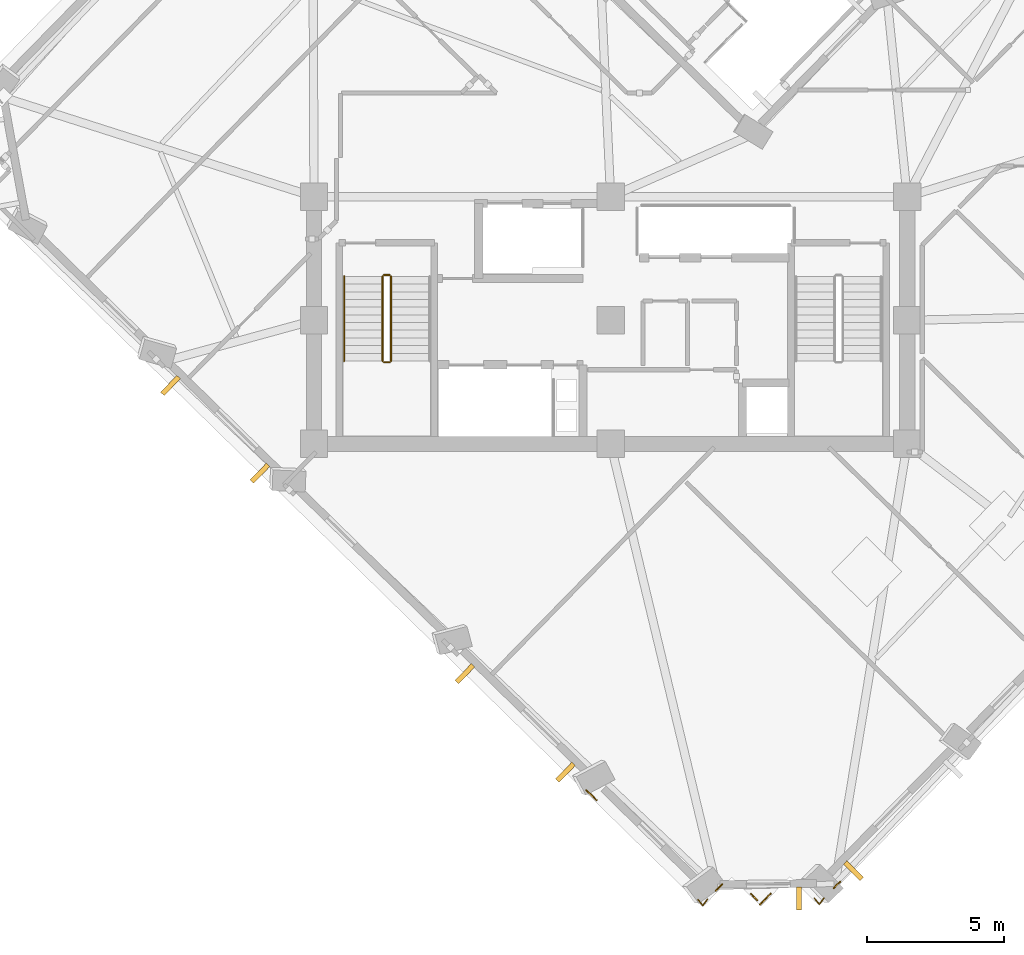
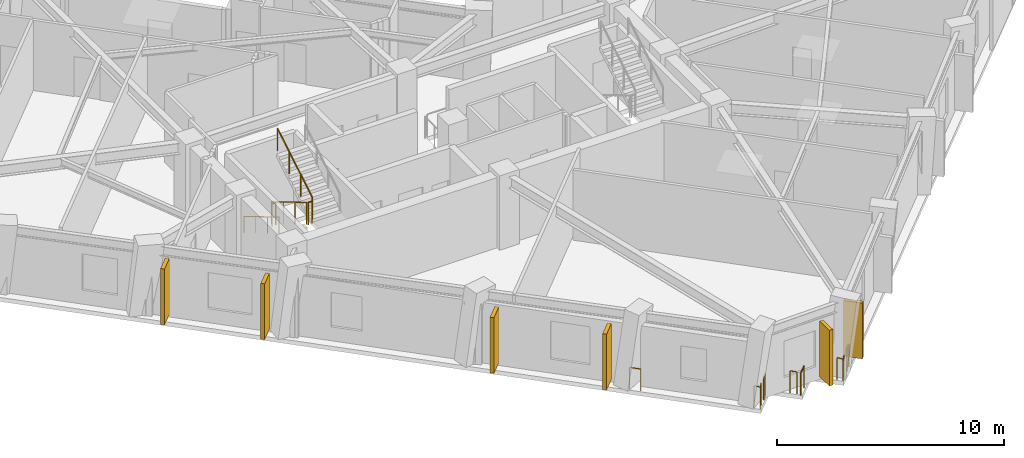
# One storey, part 8 of 12: 12 railings, 6 shading devices.
"""IFC4 building model written with IfcOpenShell, lengths in metres."""

from ifc_helpers import new_model, si_unit, direction, frame, origin, origin_2d, place, context, subcontext, project, spatial, rectangle, circle, extrude, material, layer, layer_set, type_object, element, save


model = new_model("IFC4")

# Units and contexts
model_context = context("Model", 3, precision=1e-05, world=origin(), true_north=direction((0.0, 1.0)))
body_context = subcontext(model_context, "Body", "Model", "MODEL_VIEW")
ifc_project = project(units=[si_unit("LENGTHUNIT", "METRE"), si_unit("AREAUNIT", "SQUARE_METRE"), si_unit("VOLUMEUNIT", "CUBIC_METRE"), si_unit("PLANEANGLEUNIT", "RADIAN"), si_unit("MASSUNIT", "GRAM", prefix="KILO")], contexts=[model_context])

# Site, building, storey
site_placement = place(None, origin())
site = spatial("IfcSite", under=ifc_project, at=site_placement, CompositionType="ELEMENT")
building_placement = place(site_placement, origin())
building = spatial("IfcBuilding", under=site, at=building_placement, Name="Gaonmaruhae Medical Tower", CompositionType="ELEMENT")
storey_placement = place(building_placement, frame((0.0, 0.0, 219.199951171875)))
storey = spatial("IfcBuildingStorey", under=building, at=storey_placement, Name="L52", CompositionType="ELEMENT", Elevation=219.199951171875)

# Railings
ifc_material_1 = material(Name="Stainless steel 316L and laminated safety glass", Category="steel")
ifc_layer = layer(ifc_material_1, 0.080078125)
ifc_layer_set = layer_set([ifc_layer], Name="Stainless steel 316L and laminated safety glass")
railing_type_1 = type_object("IfcRailingType", Name="GD-120 Outdoor Terrace Safety Glass & Steel Balustrade", PredefinedType="BALUSTRADE", material=ifc_layer_set)
railing_1_placement = place(storey_placement, frame((33.1591796875, -8.13720703125, 0.0)))
element("IfcRailing", 1, at=railing_1_placement, inside=storey, type_object=railing_type_1, Name="L52 Perimeter Slab Edge Safety Balustrade 04", PredefinedType="BALUSTRADE", context=body_context, shape_type="SweptSolid", body=[
    extrude(circle(Radius=0.02392578125, at=origin_2d()), frame((0.0, 0.0, 1.17578125), z_axis=(-0.69988459609, -0.714255943032, 0.0), x_axis=(0.714255943032, -0.69988459609, 0.0)), (0.0, 0.0, 1.0), 0.33984375),
    extrude(circle(Radius=0.02099609375, at=origin_2d()), origin(), (0.0, 0.0, 1.0), 1.15185546875),
    extrude(circle(Radius=0.02099609375, at=origin_2d()), frame((-0.23779296875, -0.24267578125, 0.0)), (0.0, 0.0, 1.0), 1.15185546875),
])
railing_2_placement = place(storey_placement, frame((30.633056640625, -8.572998046875, 0.0)))
element("IfcRailing", 2, at=railing_2_placement, inside=storey, type_object=railing_type_1, Name="L52 Perimeter Slab Edge Safety Balustrade 05", PredefinedType="BALUSTRADE", context=body_context, shape_type="SweptSolid", body=[
    extrude(circle(Radius=0.02392578125, at=origin_2d()), frame((0.0, 0.0, 1.17578125), z_axis=(-0.699657247083, -0.71447864671, 0.0), x_axis=(0.71447864671, -0.699657247083, 0.0)), (0.0, 0.0, 1.0), 0.56005859375),
    extrude(circle(Radius=0.02099609375, at=origin_2d()), origin(), (0.0, 0.0, 1.0), 1.15185546875),
    extrude(circle(Radius=0.02099609375, at=origin_2d()), frame((-0.391845703125, -0.400146484375, 0.0)), (0.0, 0.0, 1.0), 1.15185546875),
])
railing_3_placement = place(storey_placement, frame((30.145263671875, -8.80908203125, 0.0)))
element("IfcRailing", 3, at=railing_3_placement, inside=storey, type_object=railing_type_1, Name="L52 Perimeter Slab Edge Safety Balustrade 06", PredefinedType="BALUSTRADE", context=body_context, shape_type="SweptSolid", body=[
    extrude(circle(Radius=0.02392578125, at=origin_2d()), frame((0.0, 0.0, 1.17578125), z_axis=(-0.714541561736, 0.699592993499, 0.0), x_axis=(-0.699592993499, -0.714541561736, 0.0)), (0.0, 0.0, 1.0), 0.32666015625),
    extrude(circle(Radius=0.02099609375, at=origin_2d()), origin(), (0.0, 0.0, 1.0), 1.15185546875),
    extrude(circle(Radius=0.02099609375, at=origin_2d()), frame((-0.2333984375, 0.228515625, 0.0)), (0.0, 0.0, 1.0), 1.15185546875),
])
railing_4_placement = place(storey_placement, frame((28.861572265625, -8.238037109375, 0.0)))
element("IfcRailing", 4, at=railing_4_placement, inside=storey, type_object=railing_type_1, Name="L52 Perimeter Slab Edge Safety Balustrade 07", PredefinedType="BALUSTRADE", context=body_context, shape_type="SweptSolid", body=[
    extrude(circle(Radius=0.02392578125, at=origin_2d()), frame((0.0, 0.0, 1.17578125), z_axis=(-0.699592993499, -0.714541561736, 0.0), x_axis=(0.714541561736, -0.699592993499, 0.0)), (0.0, 0.0, 1.0), 0.32666015625),
    extrude(circle(Radius=0.02099609375, at=origin_2d()), origin(), (0.0, 0.0, 1.0), 1.15185546875),
    extrude(circle(Radius=0.02099609375, at=origin_2d()), frame((-0.228515625, -0.2333984375, 0.0)), (0.0, 0.0, 1.0), 1.15185546875),
])
railing_5_placement = place(storey_placement, frame((24.2861328125, -5.1708984375, 0.0)))
element("IfcRailing", 5, at=railing_5_placement, inside=storey, type_object=railing_type_1, Name="L52 Perimeter Slab Edge Safety Balustrade 08", PredefinedType="BALUSTRADE", context=body_context, shape_type="SweptSolid", body=[
    extrude(circle(Radius=0.02392578125, at=origin_2d()), frame((0.0, 0.0, 1.17578125), z_axis=(-0.714593709512, 0.699539727482, 0.0), x_axis=(-0.699539727482, -0.714593709512, 0.0)), (0.0, 0.0, 1.0), 0.51904296875),
    extrude(circle(Radius=0.02099609375, at=origin_2d()), origin(), (0.0, 0.0, 1.0), 1.15185546875),
    extrude(circle(Radius=0.02099609375, at=origin_2d()), frame((-0.370849609375, 0.363037109375, 0.0)), (0.0, 0.0, 1.0), 1.15185546875),
])
for number, where, name in (
    (6, (32.572265625, -8.736572265625, 0.0), "L52 Perimeter Corner Safety Balustrade 17"),
    (7, (28.329833984375, -8.781005859375, 0.0), "L52 Perimeter Corner Safety Balustrade 18"),
):
    element("IfcRailing", number, at=place(storey_placement, frame(where)), inside=storey, type_object=railing_type_1, Name=name, PredefinedType="BALUSTRADE", context=body_context, shape_type="SweptSolid", body=[
        extrude(circle(Radius=0.02392578125, at=origin_2d()), frame((0.0, 0.0, 1.17578125), z_axis=(-0.607323810892, -0.794454396881, 0.0), x_axis=(0.794454396881, -0.607323810892, 0.0)), (0.0, 0.0, 1.0), 0.287109375),
        extrude(circle(Radius=0.02392578125, at=origin_2d()), frame((-0.17431640625, -0.22802734375, 1.17578125), z_axis=(-0.624072725889, 0.781366260343, 0.0), x_axis=(-0.781366260343, -0.624072725889, 0.0)), (0.0, 0.0, 1.0), 0.287109375),
        extrude(circle(Radius=0.02099609375, at=origin_2d()), origin(), (0.0, 0.0, 1.0), 1.15185546875),
        extrude(circle(Radius=0.02099609375, at=origin_2d()), frame((-0.17431640625, -0.22802734375, 0.0)), (0.0, 0.0, 1.0), 1.15185546875),
        extrude(circle(Radius=0.02099609375, at=origin_2d()), frame((-0.353515625, -0.003662109375, 0.0)), (0.0, 0.0, 1.0), 1.15185546875),
    ])
ifc_material_2 = material(Name="Stainless steel 304 handrail", Category="steel")
railing_type_2 = type_object("IfcRailingType", Name="HR-092 Continuous Stainless Steel Stair Handrail", PredefinedType="HANDRAIL", material=ifc_material_2)
railing_6_placement = place(storey_placement, frame((15.10009765625, 13.89990234375, 0.166748046875)))
element("IfcRailing", 8, at=railing_6_placement, inside=storey, type_object=railing_type_2, Name="L52 ST-01 stair handrail 1", PredefinedType="HANDRAIL", context=body_context, shape_type="SweptSolid", body=[
    extrude(circle(Radius=0.02392578125, at=origin_2d()), frame((0.0, 0.0, 0.8759765625), z_axis=(0.0, -0.859290745958, 0.51148745235), x_axis=(1.0, 0.0, 0.0)), (0.0, 0.0, 1.0), 3.584228515625),
    extrude(circle(Radius=0.02099609375, at=origin_2d()), origin(), (0.0, 0.0, 1.0), 0.851806640625),
    extrude(circle(Radius=0.02099609375, at=origin_2d()), frame((0.0, -1.026611328125, 0.611083984375)), (0.0, 0.0, 1.0), 0.851806640625),
    extrude(circle(Radius=0.02099609375, at=origin_2d()), frame((0.0, -2.05322265625, 1.22216796875)), (0.0, 0.0, 1.0), 0.851806640625),
    extrude(circle(Radius=0.02099609375, at=origin_2d()), frame((0.0, -3.079833984375, 1.833251953125)), (0.0, 0.0, 1.0), 0.851806640625),
])

# Shading devices
ifc_material_3 = material(Name="Pigmented coral precast concrete C45/55", Category="concrete")
shading_device_type = type_object("IfcShadingDeviceType", Name="SD-FIN1 Tower Vertical Coral Precast Shading Fin", PredefinedType="USERDEFINED", material=ifc_material_3)
for number, where, z_axis, x_axis, name in (
    (9, (33.6396484375, -7.739501953125, 0.132568359375), (0.0, 0.0, 1.0), (-0.699663340513, -0.714472679633, 0.0), "L52 Vertical Coral Precast Shading Fin S01B"),
    (10, (12.0341796875, 6.736083984375, 0.132568359375), (0.0, 0.0, 1.0), (-0.714460468095, 0.699675810307, 0.0), "L52 Vertical Coral Precast Shading Fin W02"),
    (11, (8.775634765625, 9.927001953125, 0.132568359375), (0.0, 0.0, 1.0), (-0.714460468095, 0.699675810307, 0.0), "L52 Vertical Coral Precast Shading Fin W02B"),
    (12, (23.1552734375, -4.154541015625, 0.132568359375), (0.0, 0.0, 1.0), (-0.714472679633, 0.699663340513, 0.0), "L52 Vertical Coral Precast Shading Fin W04"),
    (13, (19.493408203125, -0.568603515625, 0.132568359375), (0.0, 0.0, 1.0), (-0.714472679633, 0.699663340513, 0.0), "L52 Vertical Coral Precast Shading Fin W04B"),
    (14, (31.656982421875, -8.753662109375, 0.132568359375), (0.0, 0.0, 1.0), (-0.999944986446, -0.01048923645, 0.0), "L52 Vertical Coral Precast Shading Fin W06"),
):
    element("IfcShadingDevice", number, at=place(storey_placement, frame(where, z_axis=z_axis, x_axis=x_axis)), inside=storey, type_object=shading_device_type, Name=name, ObjectType="FIN", PredefinedType="USERDEFINED", context=body_context, shape_type="SweptSolid", body=[
        extrude(rectangle(XDim=0.179931640625, YDim=0.85009765625, at=origin_2d()), origin(), (0.0, 0.0, 1.0), 3.0),
    ])

# Railings
ifc_material_4 = material(Name="Stainless steel 304 balustrade", Category="steel")
railing_type_3 = type_object("IfcRailingType", Name="SG-112 Stair Well & Ramp Void Safety Balustrade", PredefinedType="BALUSTRADE", material=ifc_material_4)
railing_7_placement = place(storey_placement, frame((16.5, 13.89990234375, 0.166748046875)))
element("IfcRailing", 15, at=railing_7_placement, inside=storey, type_object=railing_type_3, Name="L52 ST-01 stair guard 1", PredefinedType="BALUSTRADE", context=body_context, shape_type="SweptSolid", body=[
    extrude(circle(Radius=0.02392578125, at=origin_2d()), frame((0.0, 0.0, 1.17578125), z_axis=(0.0, -0.859290745958, 0.51148745235), x_axis=(1.0, 0.0, 0.0)), (0.0, 0.0, 1.0), 3.584228515625),
    extrude(circle(Radius=0.02099609375, at=origin_2d()), origin(), (0.0, 0.0, 1.0), 1.15185546875),
    extrude(circle(Radius=0.02099609375, at=origin_2d()), frame((0.0, -1.026611328125, 0.611083984375)), (0.0, 0.0, 1.0), 1.15185546875),
    extrude(circle(Radius=0.02099609375, at=origin_2d()), frame((0.0, -2.05322265625, 1.22216796875)), (0.0, 0.0, 1.0), 1.15185546875),
    extrude(circle(Radius=0.02099609375, at=origin_2d()), frame((0.0, -3.079833984375, 1.833251953125)), (0.0, 0.0, 1.0), 1.15185546875),
])
railing_8_placement = place(storey_placement, frame((16.550048828125, 10.77001953125, 2.0)))
element("IfcRailing", 16, at=railing_8_placement, inside=storey, type_object=railing_type_3, Name="L52 ST-01 stair guard 2", PredefinedType="BALUSTRADE", context=body_context, shape_type="SweptSolid", body=[
    extrude(circle(Radius=0.02392578125, at=origin_2d()), frame((0.0, 0.0, 1.17578125), z_axis=(1.0, 0.0, 0.0), x_axis=(0.0, 1.0, 0.0)), (0.0, 0.0, 1.0), 0.199951171875),
    extrude(circle(Radius=0.02099609375, at=origin_2d()), origin(), (0.0, 0.0, 1.0), 1.15185546875),
    extrude(circle(Radius=0.02099609375, at=origin_2d()), frame((0.199951171875, 0.0, 0.0)), (0.0, 0.0, 1.0), 1.15185546875),
])
railing_9_placement = place(storey_placement, frame((16.800048828125, 10.820068359375, 2.166748046875)))
element("IfcRailing", 17, at=railing_9_placement, inside=storey, type_object=railing_type_3, Name="L52 ST-01 stair guard 3", PredefinedType="BALUSTRADE", context=body_context, shape_type="SweptSolid", body=[
    extrude(circle(Radius=0.02392578125, at=origin_2d()), frame((0.0, 0.0, 1.17578125), z_axis=(0.0, 0.859290745958, 0.51148745235), x_axis=(-1.0, 0.0, 0.0)), (0.0, 0.0, 1.0), 3.584228515625),
    extrude(circle(Radius=0.02099609375, at=origin_2d()), origin(), (0.0, 0.0, 1.0), 1.15185546875),
    extrude(circle(Radius=0.02099609375, at=origin_2d()), frame((0.0, 1.026611328125, 0.611083984375)), (0.0, 0.0, 1.0), 1.15185546875),
    extrude(circle(Radius=0.02099609375, at=origin_2d()), frame((0.0, 2.05322265625, 1.22216796875)), (0.0, 0.0, 1.0), 1.15185546875),
    extrude(circle(Radius=0.02099609375, at=origin_2d()), frame((0.0, 3.079833984375, 1.833251953125)), (0.0, 0.0, 1.0), 1.15185546875),
])
railing_10_placement = place(storey_placement, frame((16.550048828125, 13.949951171875, 0.0)))
element("IfcRailing", 18, at=railing_10_placement, inside=storey, type_object=railing_type_3, Name="L52 ST-01 stair guard 4", PredefinedType="BALUSTRADE", context=body_context, shape_type="SweptSolid", body=[
    extrude(circle(Radius=0.02392578125, at=origin_2d()), frame((0.0, 0.0, 1.17578125), z_axis=(1.0, 0.0, 0.0), x_axis=(0.0, 1.0, 0.0)), (0.0, 0.0, 1.0), 0.199951171875),
    extrude(circle(Radius=0.02099609375, at=origin_2d()), origin(), (0.0, 0.0, 1.0), 1.15185546875),
    extrude(circle(Radius=0.02099609375, at=origin_2d()), frame((0.199951171875, 0.0, 0.0)), (0.0, 0.0, 1.0), 1.15185546875),
])

save(model, "model.ifc")
